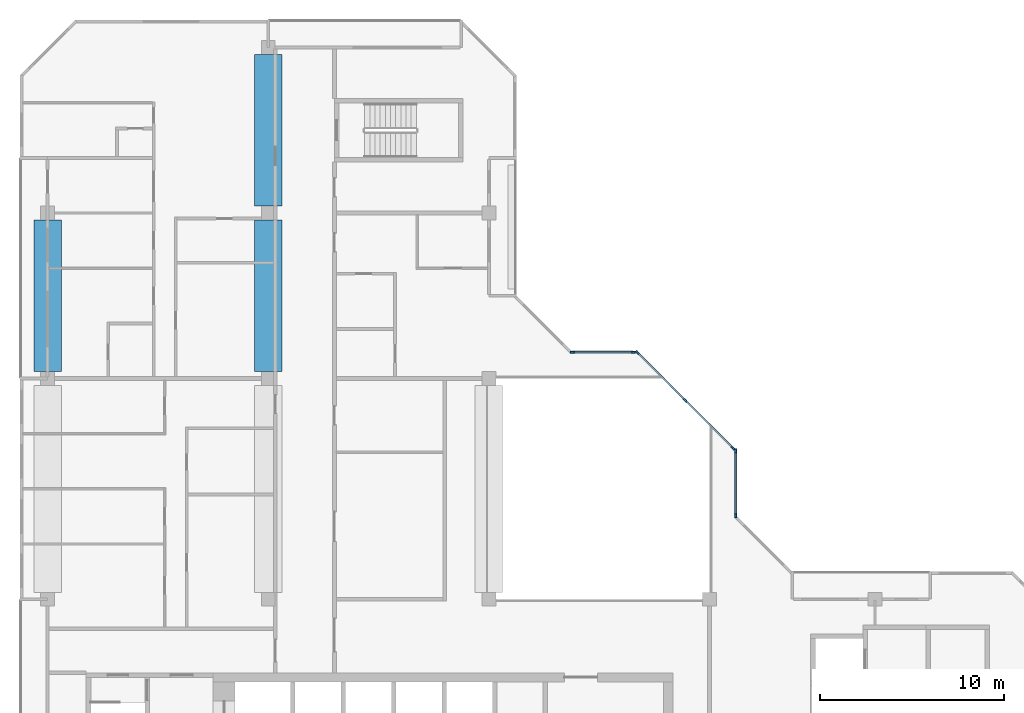
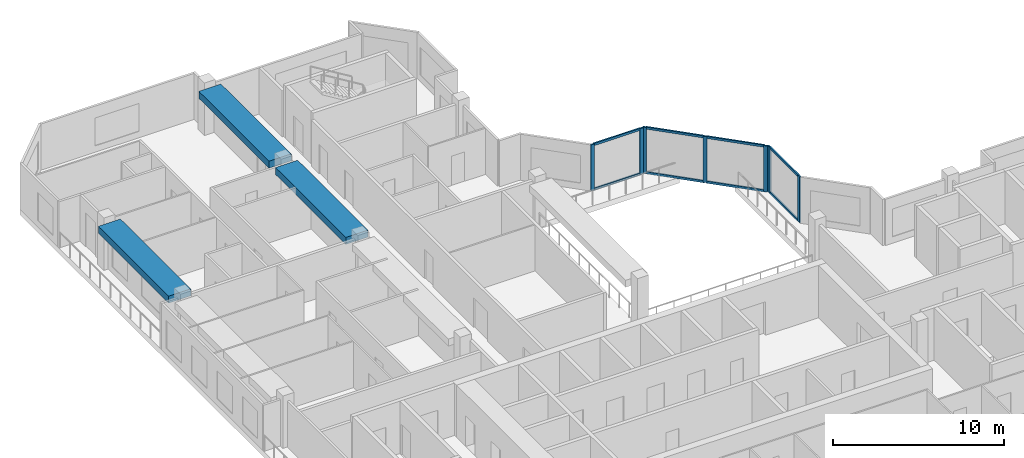
# One storey, part 2 of 11: 15 members, 3 beams, 3 elements without a shape of their own.
"""IFC4 building model written with IfcOpenShell, lengths in metres."""

from ifc_helpers import new_model, si_unit, direction, frame, origin, origin_2d, place, context, subcontext, project, spatial, rectangle, extrude, material, layer, layer_set, material_profile, profile_set, type_object, element, aggregate, save


model = new_model("IFC4")

# Units and contexts
model_context = context("Model", 3, precision=1e-05, world=origin(), true_north=direction((0.0, 1.0)))
body_context = subcontext(model_context, "Body", "Model", "MODEL_VIEW")
ifc_project = project(units=[si_unit("LENGTHUNIT", "METRE"), si_unit("AREAUNIT", "SQUARE_METRE"), si_unit("VOLUMEUNIT", "CUBIC_METRE"), si_unit("PLANEANGLEUNIT", "RADIAN"), si_unit("MASSUNIT", "GRAM", prefix="KILO")], contexts=[model_context])

# Site, building, storey
site_placement = place(None, origin())
site = spatial("IfcSite", under=ifc_project, at=site_placement, CompositionType="ELEMENT")
building_placement = place(site_placement, origin())
building = spatial("IfcBuilding", under=site, at=building_placement, Name="Chenar Terraces", CompositionType="ELEMENT")
storey_placement = place(building_placement, frame((0.0, 0.0, 380.14990234375)))
storey = spatial("IfcBuildingStorey", under=building, at=storey_placement, Name="L89", CompositionType="ELEMENT", Elevation=380.14990234375)

# Curtain wall, members
ifc_material_1 = material(Name="Aluminium framed glazing", Category="aluminium")
ifc_layer = layer(ifc_material_1, 0.14990234375)
ifc_layer_set = layer_set([ifc_layer], Name="Aluminium framed glazing")
curtain_wall_type = type_object("IfcCurtainWallType", Name="Atrium upper-zone curtain wall", PredefinedType="NOTDEFINED", material=ifc_layer_set)
placement = place(storey_placement, origin())
curtain_wall_1 = element("IfcCurtainWall", 1, at=placement, inside=storey, type_object=curtain_wall_type, Name="Atrium upper-zone curtain wall", PredefinedType="NOTDEFINED")
ifc_material_2 = material(Name="Aluminium", Category="aluminium")
ifc_material_profile_1 = material_profile(ifc_material_2, rectangle(XDim=0.10009765625, YDim=0.239990234375, at=origin_2d()), Name="Atrium upper-zone glazing mullion 100 x 240")
ifc_profile_set_1 = profile_set([ifc_material_profile_1], Name="Aluminium")
member_type_1 = type_object("IfcMemberType", Name="Atrium upper-zone glazing mullion 100 x 240", PredefinedType="MULLION", material=ifc_profile_set_1)
member_1_placement = place(storey_placement, frame((37.425048828125, 28.550048828125, 0.0), z_axis=(0.0, 0.0, 1.0), x_axis=(-1.0, 0.0, 0.0)))
member_1 = element("IfcMember", 2, at=member_1_placement, type_object=member_type_1, Name="CW8-1 mullion 1", PredefinedType="MULLION", context=body_context, shape_type="SweptSolid", body=[
    extrude(rectangle(XDim=0.10009765625, YDim=0.239990234375, at=origin_2d()), origin(), (0.0, 0.0, 1.0), 3.300048828125),
])
member_2_placement = place(storey_placement, frame((37.425048828125, 32.050048828125, 0.0), z_axis=(0.0, 0.0, 1.0), x_axis=(-1.0, 0.0, 0.0)))
member_2 = element("IfcMember", 3, at=member_2_placement, type_object=member_type_1, Name="CW8-1 mullion 2", PredefinedType="MULLION", context=body_context, shape_type="SweptSolid", body=[
    extrude(rectangle(XDim=0.10009765625, YDim=0.239990234375, at=origin_2d()), origin(), (0.0, 0.0, 1.0), 3.300048828125),
])

curtain_wall_2 = element("IfcCurtainWall", 4, at=placement, inside=storey, type_object=curtain_wall_type, Name="Atrium upper-zone curtain wall", PredefinedType="NOTDEFINED")
member_3_placement = place(storey_placement, frame((37.270263671875, 32.2236328125, 0.0), z_axis=(0.0, 0.0, 1.0), x_axis=(-0.707106781187, -0.707106781187, 0.0)))
member_3 = element("IfcMember", 5, at=member_3_placement, type_object=member_type_1, Name="CW8-2 mullion 1", PredefinedType="MULLION", context=body_context, shape_type="SweptSolid", body=[
    extrude(rectangle(XDim=0.10009765625, YDim=0.239990234375, at=origin_2d()), origin(), (0.0, 0.0, 1.0), 3.300048828125),
])
member_4_placement = place(storey_placement, frame((34.67626953125, 34.817626953125, 0.0), z_axis=(0.0, 0.0, 1.0), x_axis=(-0.707106781187, -0.707106781187, 0.0)))
member_4 = element("IfcMember", 6, at=member_4_placement, type_object=member_type_1, Name="CW8-2 mullion 2", PredefinedType="MULLION", context=body_context, shape_type="SweptSolid", body=[
    extrude(rectangle(XDim=0.10009765625, YDim=0.239990234375, at=origin_2d()), origin(), (0.0, 0.0, 1.0), 3.300048828125),
])
member_5_placement = place(storey_placement, frame((32.082275390625, 37.41162109375, 0.0), z_axis=(0.0, 0.0, 1.0), x_axis=(-0.707106781187, -0.707106781187, 0.0)))
member_5 = element("IfcMember", 7, at=member_5_placement, type_object=member_type_1, Name="CW8-2 mullion 3", PredefinedType="MULLION", context=body_context, shape_type="SweptSolid", body=[
    extrude(rectangle(XDim=0.10009765625, YDim=0.239990234375, at=origin_2d()), origin(), (0.0, 0.0, 1.0), 3.300048828125),
])

curtain_wall_3 = element("IfcCurtainWall", 8, at=placement, inside=storey, type_object=curtain_wall_type, Name="Atrium upper-zone curtain wall", PredefinedType="NOTDEFINED")
member_6_placement = place(storey_placement, frame((31.85009765625, 37.425048828125, 0.0), z_axis=(0.0, 0.0, 1.0), x_axis=(0.0, -1.0, 0.0)))
member_6 = element("IfcMember", 9, at=member_6_placement, type_object=member_type_1, Name="CW8-3 mullion 1", PredefinedType="MULLION", context=body_context, shape_type="SweptSolid", body=[
    extrude(rectangle(XDim=0.10009765625, YDim=0.239990234375, at=origin_2d()), origin(), (0.0, 0.0, 1.0), 3.300048828125),
])
member_7_placement = place(storey_placement, frame((28.550048828125, 37.425048828125, 0.0), z_axis=(0.0, 0.0, 1.0), x_axis=(0.0, -1.0, 0.0)))
member_7 = element("IfcMember", 10, at=member_7_placement, type_object=member_type_1, Name="CW8-3 mullion 2", PredefinedType="MULLION", context=body_context, shape_type="SweptSolid", body=[
    extrude(rectangle(XDim=0.10009765625, YDim=0.239990234375, at=origin_2d()), origin(), (0.0, 0.0, 1.0), 3.300048828125),
])

# Member
ifc_material_3 = material(Name="Aluminium", Category="aluminium")
ifc_material_profile_2 = material_profile(ifc_material_3, rectangle(XDim=0.10009765625, YDim=0.159912109375, at=origin_2d()), Name="Atrium upper-zone glazing transom 100 x 160")
ifc_profile_set_2 = profile_set([ifc_material_profile_2], Name="Aluminium")
member_type_2 = type_object("IfcMemberType", Name="Atrium upper-zone glazing transom 100 x 160", PredefinedType="USERDEFINED", material=ifc_profile_set_2)
member_8_placement = place(storey_placement, frame((37.425048828125, 28.60009765625, 0.050048828125), z_axis=(0.0, 1.0, 0.0), x_axis=(-1.0, 0.0, 0.0)))
member_8 = element("IfcMember", 11, at=member_8_placement, type_object=member_type_2, Name="CW8-1 transom 1.1", ObjectType="TRANSOM", PredefinedType="USERDEFINED", context=body_context, shape_type="SweptSolid", body=[
    extrude(rectangle(XDim=0.10009765625, YDim=0.159912109375, at=origin_2d()), origin(), (0.0, 0.0, 1.0), 3.39990234375),
])

member_9_placement = place(storey_placement, frame((37.425048828125, 28.60009765625, 3.25), z_axis=(0.0, 1.0, 0.0), x_axis=(-1.0, 0.0, 0.0)))
member_9 = element("IfcMember", 12, at=member_9_placement, type_object=member_type_2, Name="CW8-1 transom 1.2", ObjectType="TRANSOM", PredefinedType="USERDEFINED", context=body_context, shape_type="SweptSolid", body=[
    extrude(rectangle(XDim=0.10009765625, YDim=0.159912109375, at=origin_2d()), origin(), (0.0, 0.0, 1.0), 3.39990234375),
])

aggregate(curtain_wall_1, [member_1, member_2, member_8, member_9])

member_10_placement = place(storey_placement, frame((37.23486328125, 32.259033203125, 0.050048828125), z_axis=(-0.707106781187, 0.707106781187, 0.0), x_axis=(-0.707106781187, -0.707106781187, 0.0)))
member_10 = element("IfcMember", 13, at=member_10_placement, type_object=member_type_2, Name="CW8-2 transom 1.1", ObjectType="TRANSOM", PredefinedType="USERDEFINED", context=body_context, shape_type="SweptSolid", body=[
    extrude(rectangle(XDim=0.10009765625, YDim=0.159912109375, at=origin_2d()), origin(), (0.0, 0.0, 1.0), 3.568359375),
])

member_11_placement = place(storey_placement, frame((37.23486328125, 32.259033203125, 3.25), z_axis=(-0.707106781187, 0.707106781187, 0.0), x_axis=(-0.707106781187, -0.707106781187, 0.0)))
member_11 = element("IfcMember", 14, at=member_11_placement, type_object=member_type_2, Name="CW8-2 transom 1.2", ObjectType="TRANSOM", PredefinedType="USERDEFINED", context=body_context, shape_type="SweptSolid", body=[
    extrude(rectangle(XDim=0.10009765625, YDim=0.159912109375, at=origin_2d()), origin(), (0.0, 0.0, 1.0), 3.568359375),
])

member_12_placement = place(storey_placement, frame((34.640869140625, 34.85302734375, 0.050048828125), z_axis=(-0.707106781187, 0.707106781187, 0.0), x_axis=(-0.707106781187, -0.707106781187, 0.0)))
member_12 = element("IfcMember", 15, at=member_12_placement, type_object=member_type_2, Name="CW8-2 transom 2.1", ObjectType="TRANSOM", PredefinedType="USERDEFINED", context=body_context, shape_type="SweptSolid", body=[
    extrude(rectangle(XDim=0.10009765625, YDim=0.159912109375, at=origin_2d()), origin(), (0.0, 0.0, 1.0), 3.568359375),
])

member_13_placement = place(storey_placement, frame((34.640869140625, 34.85302734375, 3.25), z_axis=(-0.707106781187, 0.707106781187, 0.0), x_axis=(-0.707106781187, -0.707106781187, 0.0)))
member_13 = element("IfcMember", 16, at=member_13_placement, type_object=member_type_2, Name="CW8-2 transom 2.2", ObjectType="TRANSOM", PredefinedType="USERDEFINED", context=body_context, shape_type="SweptSolid", body=[
    extrude(rectangle(XDim=0.10009765625, YDim=0.159912109375, at=origin_2d()), origin(), (0.0, 0.0, 1.0), 3.568359375),
])

aggregate(curtain_wall_2, [member_3, member_4, member_5, member_10, member_11, member_12, member_13])

member_14_placement = place(storey_placement, frame((31.800048828125, 37.425048828125, 0.050048828125), z_axis=(-1.0, 0.0, 0.0), x_axis=(0.0, -1.0, 0.0)))
member_14 = element("IfcMember", 17, at=member_14_placement, type_object=member_type_2, Name="CW8-3 transom 1.1", ObjectType="TRANSOM", PredefinedType="USERDEFINED", context=body_context, shape_type="SweptSolid", body=[
    extrude(rectangle(XDim=0.10009765625, YDim=0.159912109375, at=origin_2d()), origin(), (0.0, 0.0, 1.0), 3.199951171875),
])

member_15_placement = place(storey_placement, frame((31.800048828125, 37.425048828125, 3.25), z_axis=(-1.0, 0.0, 0.0), x_axis=(0.0, -1.0, 0.0)))
member_15 = element("IfcMember", 18, at=member_15_placement, type_object=member_type_2, Name="CW8-3 transom 1.2", ObjectType="TRANSOM", PredefinedType="USERDEFINED", context=body_context, shape_type="SweptSolid", body=[
    extrude(rectangle(XDim=0.10009765625, YDim=0.159912109375, at=origin_2d()), origin(), (0.0, 0.0, 1.0), 3.199951171875),
])

aggregate(curtain_wall_3, [member_6, member_7, member_14, member_15])

# Beams
ifc_material_4 = material(Name="Concrete C40/50", Category="concrete")
ifc_material_profile_3 = material_profile(ifc_material_4, rectangle(XDim=1.5, YDim=0.5, at=origin_2d()), Name="RC 1500 x 500")
ifc_profile_set_3 = profile_set([ifc_material_profile_3], Name="Concrete C40/50")
beam_type = type_object("IfcBeamType", Name="Roof band girder 1500 x 500 Concrete C40/50", PredefinedType="BEAM", material=ifc_profile_set_3)
for number, where, z_axis, x_axis, name in (
    (19, (0.0, 36.375, 3.050048828125), (0.0, 1.0, 0.0), (-1.0, 0.0, 0.0), "Roof band girder"),
    (20, (12.0, 36.375, 3.050048828125), (0.0, 1.0, 0.0), (-1.0, 0.0, 0.0), "Roof band girder"),
    (21, (12.0, 45.375, 3.050048828125), (0.0, 1.0, 0.0), (-1.0, 0.0, 0.0), "Roof band girder"),
):
    element("IfcBeam", number, at=place(storey_placement, frame(where, z_axis=z_axis, x_axis=x_axis)), inside=storey, type_object=beam_type, Name=name, PredefinedType="BEAM", context=body_context, shape_type="SweptSolid", body=[
        extrude(rectangle(XDim=1.5, YDim=0.5, at=origin_2d()), origin(), (0.0, 0.0, 1.0), 8.25),
    ])

save(model, "model.ifc")
